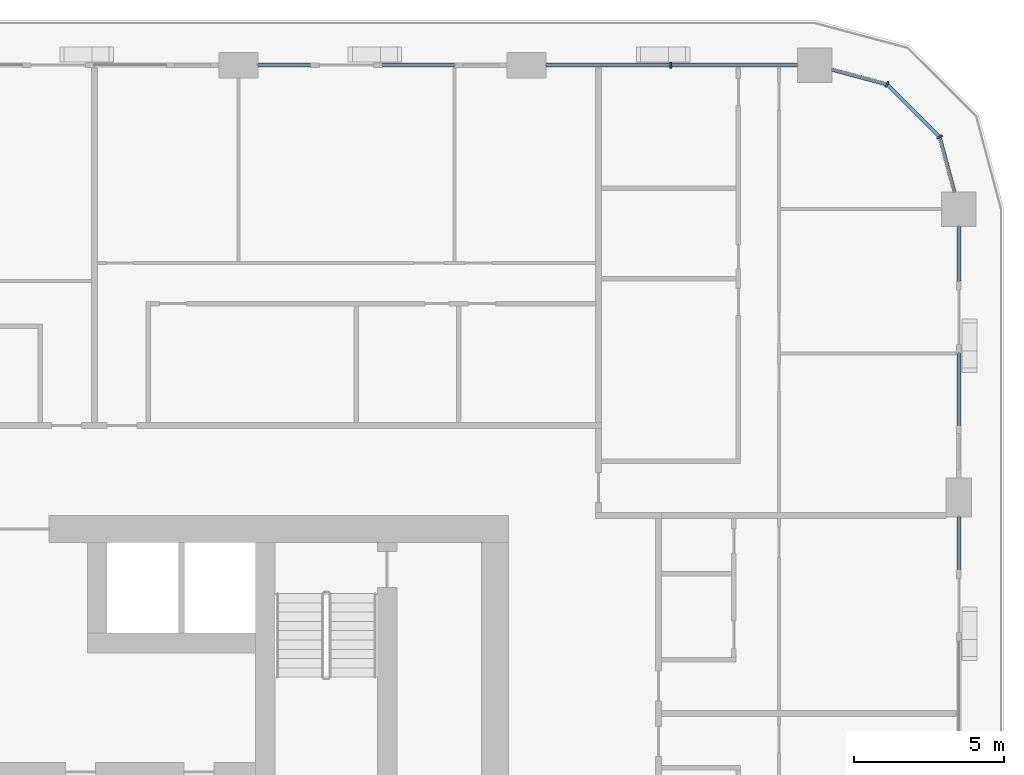
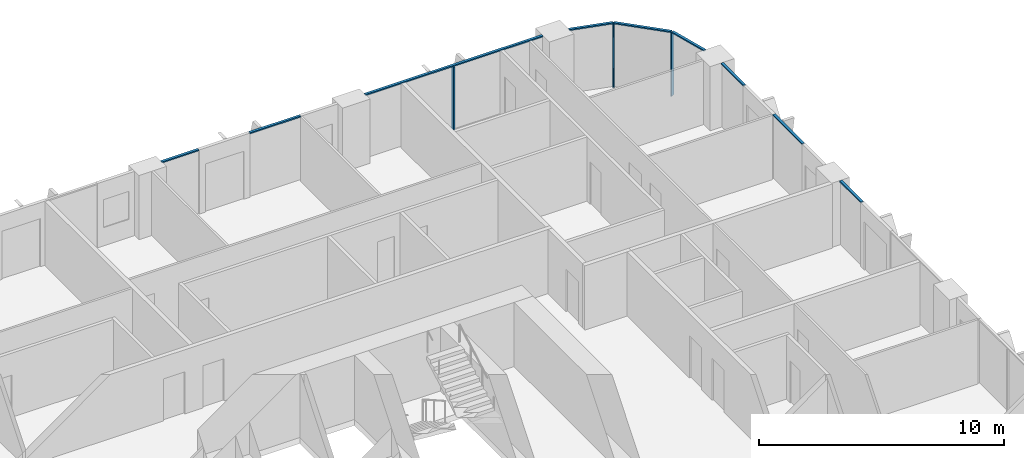
# One storey, part 6 of 22: 12 members, 5 elements without a shape of their own.
"""IFC4 building model written with IfcOpenShell, lengths in metres."""

from ifc_helpers import new_model, si_unit, direction, frame, origin, origin_2d, place, context, subcontext, project, spatial, rectangle, extrude, material, layer, layer_set, material_profile, profile_set, type_object, element, aggregate, save


model = new_model("IFC4")

# Units and contexts
model_context = context("Model", 3, precision=1e-05, world=origin(), true_north=direction((0.0, 1.0)))
body_context = subcontext(model_context, "Body", "Model", "MODEL_VIEW")
ifc_project = project(units=[si_unit("LENGTHUNIT", "METRE"), si_unit("AREAUNIT", "SQUARE_METRE"), si_unit("VOLUMEUNIT", "CUBIC_METRE"), si_unit("PLANEANGLEUNIT", "RADIAN"), si_unit("MASSUNIT", "GRAM", prefix="KILO")], contexts=[model_context])

# Site, building, storey
site_placement = place(None, origin())
site = spatial("IfcSite", under=ifc_project, at=site_placement, CompositionType="ELEMENT")
building_placement = place(site_placement, origin())
building = spatial("IfcBuilding", under=site, at=building_placement, Name="Madar Terraces", CompositionType="ELEMENT")
storey_placement = place(building_placement, frame((0.0, 0.0, 103.199951171875)))
storey = spatial("IfcBuildingStorey", under=building, at=storey_placement, Name="L26", CompositionType="ELEMENT", Elevation=103.199951171875)

# Curtain wall, member
ifc_material_1 = material(Name="Glass, ceramic frit dark grey, with black aluminium frame", Category="aluminium")
ifc_layer = layer(ifc_material_1, 0.199951171875)
ifc_layer_set = layer_set([ifc_layer], Name="Facade curtain wall, fritted glass")
curtain_wall_type = type_object("IfcCurtainWallType", Name="Facade curtain wall, fritted glass", PredefinedType="NOTDEFINED", material=ifc_layer_set)
curtain_wall_1_placement = place(storey_placement, origin())
curtain_wall_1 = element("IfcCurtainWall", 1, at=curtain_wall_1_placement, inside=storey, type_object=curtain_wall_type, Name="Outer skin curtain wall north bay 1", PredefinedType="NOTDEFINED")
ifc_material_2 = material(Name="Aluminium, black anodised", Category="aluminium")
ifc_material_profile_1 = material_profile(ifc_material_2, rectangle(XDim=0.199951171875, YDim=0.06005859375, at=origin_2d()), Name="Facade mullion 60x200")
ifc_profile_set_1 = profile_set([ifc_material_profile_1], Name="Aluminium, black anodised")
member_type_1 = type_object("IfcMemberType", Name="Facade mullion 60x200", PredefinedType="MULLION", material=ifc_profile_set_1)
member_1_placement = place(storey_placement, frame((52.800048828125, 52.800048828125, 0.0), z_axis=(0.0, 0.0, 1.0), x_axis=(0.0, -1.0, 0.0)))
member_1 = element("IfcMember", 2, at=member_1_placement, type_object=member_type_1, Name="Mullion 1", PredefinedType="MULLION", context=body_context, shape_type="SweptSolid", body=[
    extrude(rectangle(XDim=0.199951171875, YDim=0.06005859375, at=origin_2d()), origin(), (0.0, 0.0, 1.0), 3.14013671875),
])

# Curtain wall, members
curtain_wall_2_placement = place(storey_placement, origin())
curtain_wall_2 = element("IfcCurtainWall", 3, at=curtain_wall_2_placement, inside=storey, type_object=curtain_wall_type, Name="Outer skin curtain wall north-east corner", PredefinedType="NOTDEFINED")
member_2_placement = place(storey_placement, frame((61.7568359375, 50.39990234375, 0.0), z_axis=(0.0, 0.0, 1.0), x_axis=(-0.866025409797, -0.499999989586, 0.0)))
member_2 = element("IfcMember", 4, at=member_2_placement, type_object=member_type_1, Name="Mullion 1", PredefinedType="MULLION", context=body_context, shape_type="SweptSolid", body=[
    extrude(rectangle(XDim=0.199951171875, YDim=0.06005859375, at=origin_2d()), origin(), (0.0, 0.0, 1.0), 3.14013671875),
])
member_3_placement = place(storey_placement, frame((60.0, 52.156982421875, 0.0), z_axis=(0.0, 0.0, 1.0), x_axis=(-0.499999989586, -0.866025409797, 0.0)))
member_3 = element("IfcMember", 5, at=member_3_placement, type_object=member_type_1, Name="Mullion 2", PredefinedType="MULLION", context=body_context, shape_type="SweptSolid", body=[
    extrude(rectangle(XDim=0.199951171875, YDim=0.06005859375, at=origin_2d()), origin(), (0.0, 0.0, 1.0), 3.14013671875),
])

# Curtain wall, member
curtain_wall_3_placement = place(storey_placement, origin())
curtain_wall_3 = element("IfcCurtainWall", 6, at=curtain_wall_3_placement, inside=storey, type_object=curtain_wall_type, Name="Outer skin curtain wall east bay 3", PredefinedType="NOTDEFINED")
ifc_material_3 = material(Name="Aluminium, black anodised", Category="aluminium")
ifc_material_profile_2 = material_profile(ifc_material_3, rectangle(XDim=0.1201171875, YDim=0.06005859375, at=origin_2d()), Name="Facade transom 60x120")
ifc_profile_set_2 = profile_set([ifc_material_profile_2], Name="Aluminium, black anodised")
member_type_2 = type_object("IfcMemberType", Name="Facade transom 60x120", PredefinedType="USERDEFINED", material=ifc_profile_set_2)
member_4_placement = place(storey_placement, frame((62.39990234375, 36.0, 3.170166015625), z_axis=(0.0, 1.0, 0.0), x_axis=(-1.0, 0.0, 0.0)))
member_4 = element("IfcMember", 7, at=member_4_placement, type_object=member_type_2, Name="Transom 2", ObjectType="TRANSOM", PredefinedType="USERDEFINED", context=body_context, shape_type="SweptSolid", body=[
    extrude(rectangle(XDim=0.1201171875, YDim=0.06005859375, at=origin_2d()), origin(), (0.0, 0.0, 1.0), 1.75),
])
aggregate(curtain_wall_3, [member_4])

# Curtain wall, members
curtain_wall_4_placement = place(storey_placement, origin())
curtain_wall_4 = element("IfcCurtainWall", 8, at=curtain_wall_4_placement, inside=storey, type_object=curtain_wall_type, Name="Outer skin curtain wall east bay 4", PredefinedType="NOTDEFINED")
member_5_placement = place(storey_placement, frame((62.39990234375, 40.800048828125, 3.170166015625), z_axis=(0.0, 1.0, 0.0), x_axis=(-1.0, 0.0, 0.0)))
member_5 = element("IfcMember", 9, at=member_5_placement, type_object=member_type_2, Name="Transom 1", ObjectType="TRANSOM", PredefinedType="USERDEFINED", context=body_context, shape_type="SweptSolid", body=[
    extrude(rectangle(XDim=0.1201171875, YDim=0.06005859375, at=origin_2d()), origin(), (0.0, 0.0, 1.0), 2.39990234375),
])
member_6_placement = place(storey_placement, frame((62.39990234375, 45.60009765625, 3.170166015625), z_axis=(0.0, 1.0, 0.0), x_axis=(-1.0, 0.0, 0.0)))
member_6 = element("IfcMember", 10, at=member_6_placement, type_object=member_type_2, Name="Transom 2", ObjectType="TRANSOM", PredefinedType="USERDEFINED", context=body_context, shape_type="SweptSolid", body=[
    extrude(rectangle(XDim=0.1201171875, YDim=0.06005859375, at=origin_2d()), origin(), (0.0, 0.0, 1.0), 1.824951171875),
])
aggregate(curtain_wall_4, [member_5, member_6])

# Member
member_7_placement = place(storey_placement, frame((57.02490234375, 52.800048828125, 3.170166015625), z_axis=(-1.0, 0.0, 0.0), x_axis=(0.0, -1.0, 0.0)))
member_7 = element("IfcMember", 11, at=member_7_placement, type_object=member_type_2, Name="Transom 1", ObjectType="TRANSOM", PredefinedType="USERDEFINED", context=body_context, shape_type="SweptSolid", body=[
    extrude(rectangle(XDim=0.1201171875, YDim=0.06005859375, at=origin_2d()), origin(), (0.0, 0.0, 1.0), 8.375),
])

aggregate(curtain_wall_1, [member_1, member_7])

# Curtain wall, members
curtain_wall_5_placement = place(storey_placement, origin())
curtain_wall_5 = element("IfcCurtainWall", 12, at=curtain_wall_5_placement, inside=storey, type_object=curtain_wall_type, Name="Outer skin curtain wall north bay 2", PredefinedType="NOTDEFINED")
member_8_placement = place(storey_placement, frame((45.60009765625, 52.800048828125, 3.170166015625), z_axis=(-1.0, 0.0, 0.0), x_axis=(0.0, -1.0, 0.0)))
member_8 = element("IfcMember", 13, at=member_8_placement, type_object=member_type_2, Name="Transom 1", ObjectType="TRANSOM", PredefinedType="USERDEFINED", context=body_context, shape_type="SweptSolid", body=[
    extrude(rectangle(XDim=0.1201171875, YDim=0.06005859375, at=origin_2d()), origin(), (0.0, 0.0, 1.0), 2.400146484375),
])
member_9_placement = place(storey_placement, frame((40.800048828125, 52.800048828125, 3.170166015625), z_axis=(-1.0, 0.0, 0.0), x_axis=(0.0, -1.0, 0.0)))
member_9 = element("IfcMember", 14, at=member_9_placement, type_object=member_type_2, Name="Transom 2", ObjectType="TRANSOM", PredefinedType="USERDEFINED", context=body_context, shape_type="SweptSolid", body=[
    extrude(rectangle(XDim=0.1201171875, YDim=0.06005859375, at=origin_2d()), origin(), (0.0, 0.0, 1.0), 1.75),
])
aggregate(curtain_wall_5, [member_8, member_9])

# Member
member_10_placement = place(storey_placement, frame((62.245849609375, 48.574951171875, 3.170166015625), z_axis=(-0.258782024434, 0.965935745187, 0.0), x_axis=(-0.965935745187, -0.258782024434, 0.0)))
member_10 = element("IfcMember", 15, at=member_10_placement, type_object=member_type_2, Name="Transom 1", ObjectType="TRANSOM", PredefinedType="USERDEFINED", context=body_context, shape_type="SweptSolid", body=[
    extrude(rectangle(XDim=0.1201171875, YDim=0.06005859375, at=origin_2d()), origin(), (0.0, 0.0, 1.0), 1.859375),
])

member_11_placement = place(storey_placement, frame((61.735595703125, 50.421142578125, 3.170166015625), z_axis=(-0.707056433593, 0.707157125196, 0.0), x_axis=(-0.707157125196, -0.707056433593, 0.0)))
member_11 = element("IfcMember", 16, at=member_11_placement, type_object=member_type_2, Name="Transom 2", ObjectType="TRANSOM", PredefinedType="USERDEFINED", context=body_context, shape_type="SweptSolid", body=[
    extrude(rectangle(XDim=0.1201171875, YDim=0.06005859375, at=origin_2d()), origin(), (0.0, 0.0, 1.0), 2.424560546875),
])

member_12_placement = place(storey_placement, frame((59.970947265625, 52.164794921875, 3.170166015625), z_axis=(-0.965926950947, 0.258814847786, 0.0), x_axis=(-0.258814847786, -0.965926950947, 0.0)))
member_12 = element("IfcMember", 17, at=member_12_placement, type_object=member_type_2, Name="Transom 3", ObjectType="TRANSOM", PredefinedType="USERDEFINED", context=body_context, shape_type="SweptSolid", body=[
    extrude(rectangle(XDim=0.1201171875, YDim=0.06005859375, at=origin_2d()), origin(), (0.0, 0.0, 1.0), 1.859130859375),
])

aggregate(curtain_wall_2, [member_2, member_10, member_3, member_11, member_12])

save(model, "model.ifc")
